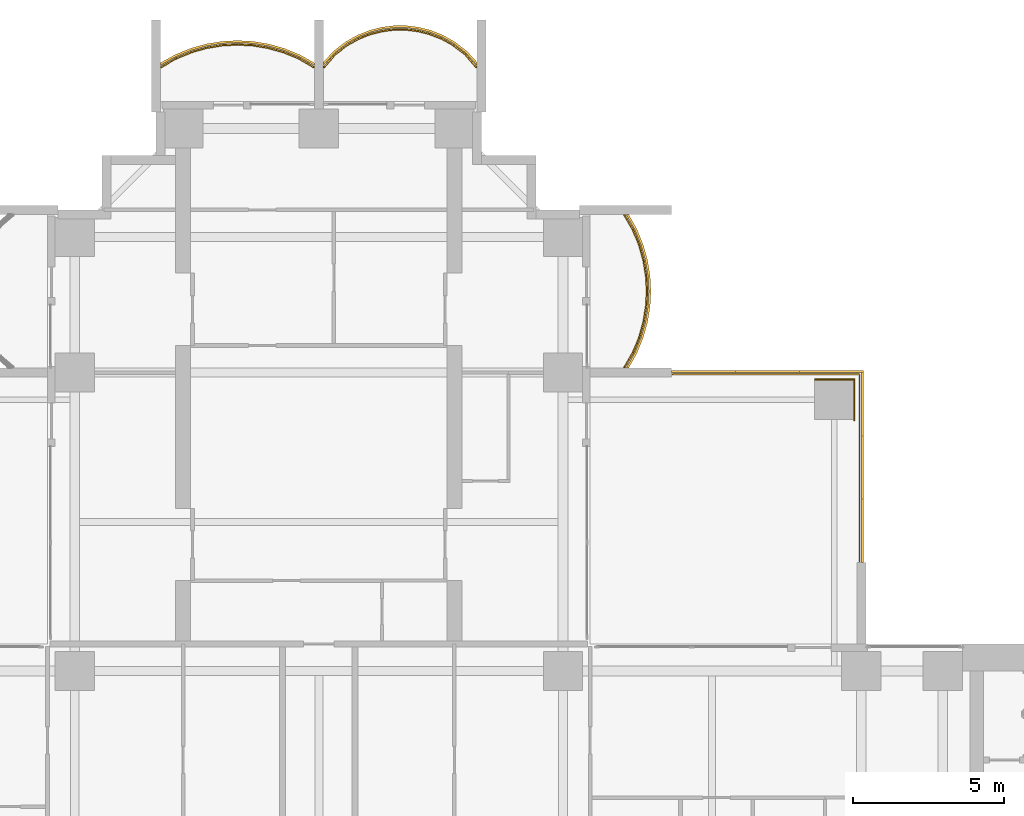
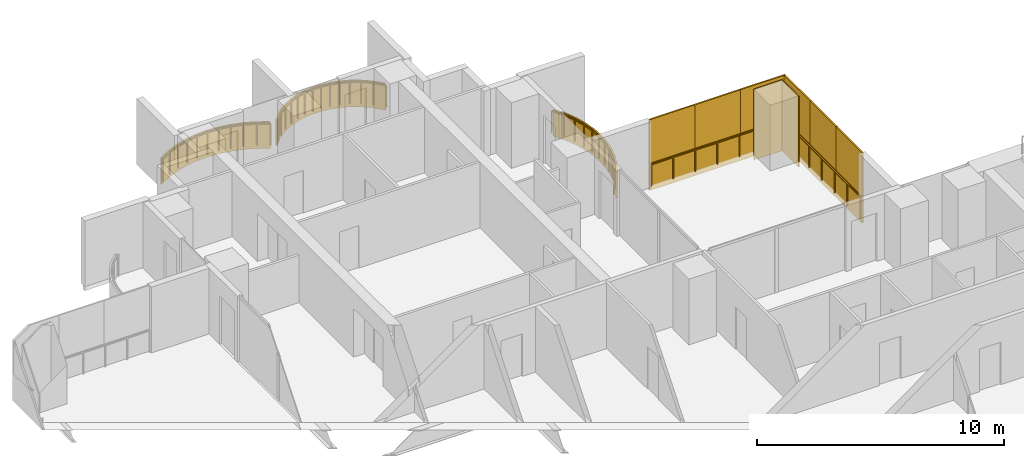
# One storey, part 20 of 20: 12 coverings, 4 railings.
"""IFC4 building model written with IfcOpenShell, lengths in metres."""

from ifc_helpers import new_model, si_unit, direction, frame, origin, origin_2d, place, context, subcontext, project, spatial, polyline, rectangle, outline, extrude, material, layer, layer_set, type_object, element, save


model = new_model("IFC4")

# Units and contexts
model_context = context("Model", 3, precision=1e-05, world=origin(), true_north=direction((0.0, 1.0)))
body_context = subcontext(model_context, "Body", "Model", "MODEL_VIEW")
ifc_project = project(units=[si_unit("LENGTHUNIT", "METRE"), si_unit("AREAUNIT", "SQUARE_METRE"), si_unit("VOLUMEUNIT", "CUBIC_METRE"), si_unit("PLANEANGLEUNIT", "RADIAN"), si_unit("MASSUNIT", "GRAM", prefix="KILO")], contexts=[model_context])

# Site, building, storey
site_placement = place(None, origin())
site = spatial("IfcSite", under=ifc_project, at=site_placement, CompositionType="ELEMENT")
building_placement = place(site_placement, origin())
building = spatial("IfcBuilding", under=site, at=building_placement, Name="Perihelion Cross Residences", CompositionType="ELEMENT")
storey_placement = place(building_placement, frame((0.0, 0.0, 78.5)))
storey = spatial("IfcBuildingStorey", under=building, at=storey_placement, Name="L17", CompositionType="ELEMENT", Elevation=78.5)

# Coverings
ifc_material_1 = material(Name="Bronze anodised aluminium", Category="aluminium")
ifc_layer_1 = layer(ifc_material_1, 0.070068359375)
ifc_layer_set_1 = layer_set([ifc_layer_1], Name="Balcony fascia 1300")
covering_type_1 = type_object("IfcCoveringType", Name="Balcony fascia 1300", PredefinedType="CLADDING", material=ifc_layer_set_1)
covering_1_placement = place(storey_placement, frame((0.0, 0.0, -0.199951171875)))
element("IfcCovering", 1, at=covering_1_placement, inside=storey, type_object=covering_type_1, Name="Fascia BF1 L17 north side east bay 2", PredefinedType="CLADDING", context=body_context, shape_type="SweptSolid", body=[
    extrude(outline(polyline([(10.54833984375, 18.629638671875), (10.7607421875, 19.147216796875), (10.906494140625, 19.664794921875), (10.991943359375, 20.182373046875), (11.02001953125, 20.699951171875), (10.991943359375, 21.217529296875), (10.906494140625, 21.735107421875), (10.7607421875, 22.2529296875), (10.54833984375, 22.7705078125), (10.2802734375, 23.25), (10.199951171875, 23.25), (10.4853515625, 22.739990234375), (10.694580078125, 22.22998046875), (10.838134765625, 21.719970703125), (10.92236328125, 21.2099609375), (10.949951171875, 20.699951171875), (10.92236328125, 20.18994140625), (10.838134765625, 19.679931640625), (10.694580078125, 19.169921875), (10.4853515625, 18.659912109375), (10.199951171875, 18.14990234375), (10.2802734375, 18.14990234375), (10.54833984375, 18.629638671875)])), origin(), (0.0, 0.0, 1.0), 1.300048828125),
])
covering_2_placement = place(storey_placement, frame((0.0, 0.0, -0.199951171875)))
element("IfcCovering", 2, at=covering_2_placement, inside=storey, type_object=covering_type_1, Name="Fascia BF1 L17 north tip north bay 1", PredefinedType="CLADDING", context=body_context, shape_type="SweptSolid", body=[
    extrude(outline(polyline([(4.90478515625, 28.674072265625), (4.50390625, 28.982666015625), (4.10302734375, 29.20654296875), (3.7021484375, 29.364013671875), (3.30126953125, 29.464599609375), (2.900390625, 29.513916015625), (2.49951171875, 29.513916015625), (2.0986328125, 29.464599609375), (1.69775390625, 29.364013671875), (1.296875, 29.20654296875), (0.89599609375, 28.982666015625), (0.4951171875, 28.674072265625), (0.14990234375, 28.302734375), (0.14990234375, 28.199951171875), (0.542236328125, 28.622314453125), (0.9345703125, 28.924072265625), (1.326904296875, 29.143310546875), (1.71923828125, 29.29736328125), (2.111572265625, 29.39599609375), (2.50390625, 29.444091796875), (2.896240234375, 29.444091796875), (3.28857421875, 29.39599609375), (3.6806640625, 29.29736328125), (4.072998046875, 29.143310546875), (4.46533203125, 28.924072265625), (4.857666015625, 28.622314453125), (5.25, 28.199951171875), (5.25, 28.302734375), (4.90478515625, 28.674072265625)])), origin(), (0.0, 0.0, 1.0), 1.300048828125),
])
covering_3_placement = place(storey_placement, frame((0.0, 0.0, -0.199951171875)))
element("IfcCovering", 3, at=covering_3_placement, inside=storey, type_object=covering_type_1, Name="Fascia BF1 L17 north tip north bay 2", PredefinedType="CLADDING", context=body_context, shape_type="SweptSolid", body=[
    extrude(outline(polyline([(-0.629638671875, 28.54833984375), (-1.147216796875, 28.7607421875), (-1.664794921875, 28.906494140625), (-2.182373046875, 28.991943359375), (-2.699951171875, 29.02001953125), (-3.217529296875, 28.991943359375), (-3.735107421875, 28.906494140625), (-4.2529296875, 28.7607421875), (-4.7705078125, 28.54833984375), (-5.25, 28.2802734375), (-5.25, 28.199951171875), (-4.739990234375, 28.4853515625), (-4.22998046875, 28.694580078125), (-3.719970703125, 28.838134765625), (-3.2099609375, 28.92236328125), (-2.699951171875, 28.949951171875), (-2.18994140625, 28.92236328125), (-1.679931640625, 28.838134765625), (-1.169921875, 28.694580078125), (-0.659912109375, 28.4853515625), (-0.14990234375, 28.199951171875), (-0.14990234375, 28.2802734375), (-0.629638671875, 28.54833984375)])), origin(), (0.0, 0.0, 1.0), 1.300048828125),
])

# Railings
ifc_material_2 = material(Name="Bronze anodised aluminium", Category="aluminium")
railing_type = type_object("IfcRailingType", Name="Balcony guard 1100", PredefinedType="GUARDRAIL", material=ifc_material_2)
railing_1_placement = place(storey_placement, frame((10.139892578125, 18.175048828125, 0.0)))
element("IfcRailing", 4, at=railing_1_placement, inside=storey, type_object=railing_type, Name="Guard GU1 L17 north side east bay 2 balcony", PredefinedType="GUARDRAIL", context=body_context, shape_type="SweptSolid", body=[
    extrude(rectangle(XDim=0.048095703125, YDim=0.048095703125, at=origin_2d()), frame((0.0, 0.0, 1.076171875), z_axis=(0.507266632806, 0.861789164031, 0.0), x_axis=(-0.861789164031, 0.507266632806, 0.0)), (0.0, 0.0, 1.0), 0.562744140625),
    extrude(rectangle(XDim=0.048095703125, YDim=0.048095703125, at=origin_2d()), frame((0.285400390625, 0.48486328125, 1.076171875), z_axis=(0.379546636342, 0.925172605972, 0.0), x_axis=(-0.925172605972, 0.379546636342, 0.0)), (0.0, 0.0, 1.0), 0.55126953125),
    extrude(rectangle(XDim=0.048095703125, YDim=0.048095703125, at=origin_2d()), frame((0.49462890625, 0.994873046875, 1.076171875), z_axis=(0.271372618732, 0.962474364231, 0.0), x_axis=(-0.962474364231, 0.271372618732, 0.0)), (0.0, 0.0, 1.0), 0.52978515625),
    extrude(rectangle(XDim=0.048095703125, YDim=0.048095703125, at=origin_2d()), frame((0.638427734375, 1.5048828125, 1.076171875), z_axis=(0.162483799314, 0.986711211531, 0.0), x_axis=(-0.986711211531, 0.162483799314, 0.0)), (0.0, 0.0, 1.0), 0.516845703125),
    extrude(rectangle(XDim=0.048095703125, YDim=0.048095703125, at=origin_2d()), frame((0.722412109375, 2.014892578125, 1.076171875), z_axis=(0.05401390175, 0.998540183677, 0.0), x_axis=(-0.998540183677, 0.05401390175, 0.0)), (0.0, 0.0, 1.0), 0.5107421875),
    extrude(rectangle(XDim=0.048095703125, YDim=0.048095703125, at=origin_2d()), frame((0.75, 2.52490234375, 1.076171875), z_axis=(-0.05401390175, 0.998540183677, 0.0), x_axis=(-0.998540183677, -0.05401390175, 0.0)), (0.0, 0.0, 1.0), 0.5107421875),
    extrude(rectangle(XDim=0.048095703125, YDim=0.048095703125, at=origin_2d()), frame((0.722412109375, 3.034912109375, 1.076171875), z_axis=(-0.162483799314, 0.986711211531, 0.0), x_axis=(-0.986711211531, -0.162483799314, 0.0)), (0.0, 0.0, 1.0), 0.516845703125),
    extrude(rectangle(XDim=0.048095703125, YDim=0.048095703125, at=origin_2d()), frame((0.638427734375, 3.544921875, 1.076171875), z_axis=(-0.271372618732, 0.962474364231, 0.0), x_axis=(-0.962474364231, -0.271372618732, 0.0)), (0.0, 0.0, 1.0), 0.52978515625),
    extrude(rectangle(XDim=0.048095703125, YDim=0.048095703125, at=origin_2d()), frame((0.49462890625, 4.054931640625, 1.076171875), z_axis=(-0.379546636342, 0.925172605972, 0.0), x_axis=(-0.925172605972, -0.379546636342, 0.0)), (0.0, 0.0, 1.0), 0.55126953125),
    extrude(rectangle(XDim=0.048095703125, YDim=0.048095703125, at=origin_2d()), frame((0.285400390625, 4.56494140625, 1.076171875), z_axis=(-0.507076995033, 0.861900760591, 0.0), x_axis=(-0.861900760591, -0.507076995033, 0.0)), (0.0, 0.0, 1.0), 0.562744140625),
    extrude(rectangle(XDim=0.0419921875, YDim=0.0419921875, at=origin_2d()), origin(), (0.0, 0.0, 1.0), 1.052001953125),
    extrude(rectangle(XDim=0.0419921875, YDim=0.0419921875, at=origin_2d()), frame((0.285400390625, 0.48486328125, 0.0)), (0.0, 0.0, 1.0), 1.052001953125),
    extrude(rectangle(XDim=0.0419921875, YDim=0.0419921875, at=origin_2d()), frame((0.49462890625, 0.994873046875, 0.0)), (0.0, 0.0, 1.0), 1.052001953125),
    extrude(rectangle(XDim=0.0419921875, YDim=0.0419921875, at=origin_2d()), frame((0.638427734375, 1.5048828125, 0.0)), (0.0, 0.0, 1.0), 1.052001953125),
    extrude(rectangle(XDim=0.0419921875, YDim=0.0419921875, at=origin_2d()), frame((0.722412109375, 2.014892578125, 0.0)), (0.0, 0.0, 1.0), 1.052001953125),
    extrude(rectangle(XDim=0.0419921875, YDim=0.0419921875, at=origin_2d()), frame((0.75, 2.52490234375, 0.0)), (0.0, 0.0, 1.0), 1.052001953125),
    extrude(rectangle(XDim=0.0419921875, YDim=0.0419921875, at=origin_2d()), frame((0.722412109375, 3.034912109375, 0.0)), (0.0, 0.0, 1.0), 1.052001953125),
    extrude(rectangle(XDim=0.0419921875, YDim=0.0419921875, at=origin_2d()), frame((0.638427734375, 3.544921875, 0.0)), (0.0, 0.0, 1.0), 1.052001953125),
    extrude(rectangle(XDim=0.0419921875, YDim=0.0419921875, at=origin_2d()), frame((0.49462890625, 4.054931640625, 0.0)), (0.0, 0.0, 1.0), 1.052001953125),
    extrude(rectangle(XDim=0.0419921875, YDim=0.0419921875, at=origin_2d()), frame((0.285400390625, 4.56494140625, 0.0)), (0.0, 0.0, 1.0), 1.052001953125),
    extrude(rectangle(XDim=0.0419921875, YDim=0.0419921875, at=origin_2d()), frame((0.0, 5.050048828125, 0.0)), (0.0, 0.0, 1.0), 1.052001953125),
])
railing_2_placement = place(storey_placement, frame((5.22509765625, 28.139892578125, 0.0)))
element("IfcRailing", 5, at=railing_2_placement, inside=storey, type_object=railing_type, Name="Guard GU1 L17 north tip north bay 1 balcony", PredefinedType="GUARDRAIL", context=body_context, shape_type="SweptSolid", body=[
    extrude(rectangle(XDim=0.048095703125, YDim=0.048095703125, at=origin_2d()), frame((0.0, 0.0, 1.076171875), z_axis=(-0.656340655493, 0.754464673757, 0.0), x_axis=(-0.754464673757, -0.656340655493, 0.0)), (0.0, 0.0, 1.0), 0.559814453125),
    extrude(rectangle(XDim=0.048095703125, YDim=0.048095703125, at=origin_2d()), frame((-0.367431640625, 0.42236328125, 1.076171875), z_axis=(-0.792660660899, 0.60966308455, 0.0), x_axis=(-0.60966308455, -0.792660660899, 0.0)), (0.0, 0.0, 1.0), 0.494873046875),
    extrude(rectangle(XDim=0.048095703125, YDim=0.048095703125, at=origin_2d()), frame((-0.759765625, 0.72412109375, 1.076171875), z_axis=(-0.872950285698, 0.487809182674, 0.0), x_axis=(-0.487809182674, -0.872950285698, 0.0)), (0.0, 0.0, 1.0), 0.449462890625),
    extrude(rectangle(XDim=0.048095703125, YDim=0.048095703125, at=origin_2d()), frame((-1.152099609375, 0.943359375, 1.076171875), z_axis=(-0.930814842219, 0.365491079925, 0.0), x_axis=(-0.365491079925, -0.930814842219, 0.0)), (0.0, 0.0, 1.0), 0.42138671875),
    extrude(rectangle(XDim=0.048095703125, YDim=0.048095703125, at=origin_2d()), frame((-1.54443359375, 1.097412109375, 1.076171875), z_axis=(-0.969786252666, 0.243956193074, 0.0), x_axis=(-0.243956193074, -0.969786252666, 0.0)), (0.0, 0.0, 1.0), 0.404296875),
    extrude(rectangle(XDim=0.048095703125, YDim=0.048095703125, at=origin_2d()), frame((-1.9365234375, 1.196044921875, 1.076171875), z_axis=(-0.992569651699, 0.121677797999, 0.0), x_axis=(-0.121677797999, -0.992569651699, 0.0)), (0.0, 0.0, 1.0), 0.395263671875),
    extrude(rectangle(XDim=0.048095703125, YDim=0.048095703125, at=origin_2d()), frame((-2.328857421875, 1.244140625, 1.076171875), z_axis=(-1.0, 0.0, 0.0), x_axis=(0.0, -1.0, 0.0)), (0.0, 0.0, 1.0), 0.392333984375),
    extrude(rectangle(XDim=0.048095703125, YDim=0.048095703125, at=origin_2d()), frame((-2.72119140625, 1.244140625, 1.076171875), z_axis=(-0.992569651699, -0.121677797999, 0.0), x_axis=(0.121677797999, -0.992569651699, 0.0)), (0.0, 0.0, 1.0), 0.395263671875),
    extrude(rectangle(XDim=0.048095703125, YDim=0.048095703125, at=origin_2d()), frame((-3.113525390625, 1.196044921875, 1.076171875), z_axis=(-0.969822159145, -0.243813411509, 0.0), x_axis=(0.243813411509, -0.969822159145, 0.0)), (0.0, 0.0, 1.0), 0.404541015625),
    extrude(rectangle(XDim=0.048095703125, YDim=0.048095703125, at=origin_2d()), frame((-3.505859375, 1.097412109375, 1.076171875), z_axis=(-0.930814842219, -0.365491079925, 0.0), x_axis=(0.365491079925, -0.930814842219, 0.0)), (0.0, 0.0, 1.0), 0.42138671875),
    extrude(rectangle(XDim=0.048095703125, YDim=0.048095703125, at=origin_2d()), frame((-3.898193359375, 0.943359375, 1.076171875), z_axis=(-0.872950285698, -0.487809182674, 0.0), x_axis=(0.487809182674, -0.872950285698, 0.0)), (0.0, 0.0, 1.0), 0.449462890625),
    extrude(rectangle(XDim=0.048095703125, YDim=0.048095703125, at=origin_2d()), frame((-4.29052734375, 0.72412109375, 1.076171875), z_axis=(-0.792660660899, -0.60966308455, 0.0), x_axis=(0.60966308455, -0.792660660899, 0.0)), (0.0, 0.0, 1.0), 0.494873046875),
    extrude(rectangle(XDim=0.048095703125, YDim=0.048095703125, at=origin_2d()), frame((-4.682861328125, 0.42236328125, 1.076171875), z_axis=(-0.656092309534, -0.754680648599, 0.0), x_axis=(0.754680648599, -0.656092309534, 0.0)), (0.0, 0.0, 1.0), 0.5595703125),
    extrude(rectangle(XDim=0.0419921875, YDim=0.0419921875, at=origin_2d()), origin(), (0.0, 0.0, 1.0), 1.052001953125),
    extrude(rectangle(XDim=0.0419921875, YDim=0.0419921875, at=origin_2d()), frame((-0.367431640625, 0.42236328125, 0.0)), (0.0, 0.0, 1.0), 1.052001953125),
    extrude(rectangle(XDim=0.0419921875, YDim=0.0419921875, at=origin_2d()), frame((-0.759765625, 0.72412109375, 0.0)), (0.0, 0.0, 1.0), 1.052001953125),
    extrude(rectangle(XDim=0.0419921875, YDim=0.0419921875, at=origin_2d()), frame((-1.152099609375, 0.943359375, 0.0)), (0.0, 0.0, 1.0), 1.052001953125),
    extrude(rectangle(XDim=0.0419921875, YDim=0.0419921875, at=origin_2d()), frame((-1.54443359375, 1.097412109375, 0.0)), (0.0, 0.0, 1.0), 1.052001953125),
    extrude(rectangle(XDim=0.0419921875, YDim=0.0419921875, at=origin_2d()), frame((-1.9365234375, 1.196044921875, 0.0)), (0.0, 0.0, 1.0), 1.052001953125),
    extrude(rectangle(XDim=0.0419921875, YDim=0.0419921875, at=origin_2d()), frame((-2.328857421875, 1.244140625, 0.0)), (0.0, 0.0, 1.0), 1.052001953125),
    extrude(rectangle(XDim=0.0419921875, YDim=0.0419921875, at=origin_2d()), frame((-2.72119140625, 1.244140625, 0.0)), (0.0, 0.0, 1.0), 1.052001953125),
    extrude(rectangle(XDim=0.0419921875, YDim=0.0419921875, at=origin_2d()), frame((-3.113525390625, 1.196044921875, 0.0)), (0.0, 0.0, 1.0), 1.052001953125),
    extrude(rectangle(XDim=0.0419921875, YDim=0.0419921875, at=origin_2d()), frame((-3.505859375, 1.097412109375, 0.0)), (0.0, 0.0, 1.0), 1.052001953125),
    extrude(rectangle(XDim=0.0419921875, YDim=0.0419921875, at=origin_2d()), frame((-3.898193359375, 0.943359375, 0.0)), (0.0, 0.0, 1.0), 1.052001953125),
    extrude(rectangle(XDim=0.0419921875, YDim=0.0419921875, at=origin_2d()), frame((-4.29052734375, 0.72412109375, 0.0)), (0.0, 0.0, 1.0), 1.052001953125),
    extrude(rectangle(XDim=0.0419921875, YDim=0.0419921875, at=origin_2d()), frame((-4.682861328125, 0.42236328125, 0.0)), (0.0, 0.0, 1.0), 1.052001953125),
    extrude(rectangle(XDim=0.0419921875, YDim=0.0419921875, at=origin_2d()), frame((-5.050048828125, 0.0, 0.0)), (0.0, 0.0, 1.0), 1.052001953125),
])
railing_3_placement = place(storey_placement, frame((-0.175048828125, 28.139892578125, 0.0)))
element("IfcRailing", 6, at=railing_3_placement, inside=storey, type_object=railing_type, Name="Guard GU1 L17 north tip north bay 2 balcony", PredefinedType="GUARDRAIL", context=body_context, shape_type="SweptSolid", body=[
    extrude(rectangle(XDim=0.048095703125, YDim=0.048095703125, at=origin_2d()), frame((0.0, 0.0, 1.076171875), z_axis=(-0.861789164031, 0.507266632806, 0.0), x_axis=(-0.507266632806, -0.861789164031, 0.0)), (0.0, 0.0, 1.0), 0.562744140625),
    extrude(rectangle(XDim=0.048095703125, YDim=0.048095703125, at=origin_2d()), frame((-0.48486328125, 0.285400390625, 1.076171875), z_axis=(-0.925172605972, 0.379546636342, 0.0), x_axis=(-0.379546636342, -0.925172605972, 0.0)), (0.0, 0.0, 1.0), 0.55126953125),
    extrude(rectangle(XDim=0.048095703125, YDim=0.048095703125, at=origin_2d()), frame((-0.994873046875, 0.49462890625, 1.076171875), z_axis=(-0.962474364231, 0.271372618732, 0.0), x_axis=(-0.271372618732, -0.962474364231, 0.0)), (0.0, 0.0, 1.0), 0.52978515625),
    extrude(rectangle(XDim=0.048095703125, YDim=0.048095703125, at=origin_2d()), frame((-1.5048828125, 0.638427734375, 1.076171875), z_axis=(-0.986711211531, 0.162483799314, 0.0), x_axis=(-0.162483799314, -0.986711211531, 0.0)), (0.0, 0.0, 1.0), 0.516845703125),
    extrude(rectangle(XDim=0.048095703125, YDim=0.048095703125, at=origin_2d()), frame((-2.014892578125, 0.722412109375, 1.076171875), z_axis=(-0.998540183677, 0.05401390175, 0.0), x_axis=(-0.05401390175, -0.998540183677, 0.0)), (0.0, 0.0, 1.0), 0.5107421875),
    extrude(rectangle(XDim=0.048095703125, YDim=0.048095703125, at=origin_2d()), frame((-2.52490234375, 0.75, 1.076171875), z_axis=(-0.998540183677, -0.05401390175, 0.0), x_axis=(0.05401390175, -0.998540183677, 0.0)), (0.0, 0.0, 1.0), 0.5107421875),
    extrude(rectangle(XDim=0.048095703125, YDim=0.048095703125, at=origin_2d()), frame((-3.034912109375, 0.722412109375, 1.076171875), z_axis=(-0.986711211531, -0.162483799314, 0.0), x_axis=(0.162483799314, -0.986711211531, 0.0)), (0.0, 0.0, 1.0), 0.516845703125),
    extrude(rectangle(XDim=0.048095703125, YDim=0.048095703125, at=origin_2d()), frame((-3.544921875, 0.638427734375, 1.076171875), z_axis=(-0.962474364231, -0.271372618732, 0.0), x_axis=(0.271372618732, -0.962474364231, 0.0)), (0.0, 0.0, 1.0), 0.52978515625),
    extrude(rectangle(XDim=0.048095703125, YDim=0.048095703125, at=origin_2d()), frame((-4.054931640625, 0.49462890625, 1.076171875), z_axis=(-0.925172605972, -0.379546636342, 0.0), x_axis=(0.379546636342, -0.925172605972, 0.0)), (0.0, 0.0, 1.0), 0.55126953125),
    extrude(rectangle(XDim=0.048095703125, YDim=0.048095703125, at=origin_2d()), frame((-4.56494140625, 0.285400390625, 1.076171875), z_axis=(-0.861900760591, -0.507076995033, 0.0), x_axis=(0.507076995033, -0.861900760591, 0.0)), (0.0, 0.0, 1.0), 0.562744140625),
    extrude(rectangle(XDim=0.0419921875, YDim=0.0419921875, at=origin_2d()), origin(), (0.0, 0.0, 1.0), 1.052001953125),
    extrude(rectangle(XDim=0.0419921875, YDim=0.0419921875, at=origin_2d()), frame((-0.48486328125, 0.285400390625, 0.0)), (0.0, 0.0, 1.0), 1.052001953125),
    extrude(rectangle(XDim=0.0419921875, YDim=0.0419921875, at=origin_2d()), frame((-0.994873046875, 0.49462890625, 0.0)), (0.0, 0.0, 1.0), 1.052001953125),
    extrude(rectangle(XDim=0.0419921875, YDim=0.0419921875, at=origin_2d()), frame((-1.5048828125, 0.638427734375, 0.0)), (0.0, 0.0, 1.0), 1.052001953125),
    extrude(rectangle(XDim=0.0419921875, YDim=0.0419921875, at=origin_2d()), frame((-2.014892578125, 0.722412109375, 0.0)), (0.0, 0.0, 1.0), 1.052001953125),
    extrude(rectangle(XDim=0.0419921875, YDim=0.0419921875, at=origin_2d()), frame((-2.52490234375, 0.75, 0.0)), (0.0, 0.0, 1.0), 1.052001953125),
    extrude(rectangle(XDim=0.0419921875, YDim=0.0419921875, at=origin_2d()), frame((-3.034912109375, 0.722412109375, 0.0)), (0.0, 0.0, 1.0), 1.052001953125),
    extrude(rectangle(XDim=0.0419921875, YDim=0.0419921875, at=origin_2d()), frame((-3.544921875, 0.638427734375, 0.0)), (0.0, 0.0, 1.0), 1.052001953125),
    extrude(rectangle(XDim=0.0419921875, YDim=0.0419921875, at=origin_2d()), frame((-4.054931640625, 0.49462890625, 0.0)), (0.0, 0.0, 1.0), 1.052001953125),
    extrude(rectangle(XDim=0.0419921875, YDim=0.0419921875, at=origin_2d()), frame((-4.56494140625, 0.285400390625, 0.0)), (0.0, 0.0, 1.0), 1.052001953125),
    extrude(rectangle(XDim=0.0419921875, YDim=0.0419921875, at=origin_2d()), frame((-5.050048828125, 0.0, 0.0)), (0.0, 0.0, 1.0), 1.052001953125),
])
railing_4_placement = place(storey_placement, frame((11.739990234375, 17.93994140625, 0.0)))
element("IfcRailing", 7, at=railing_4_placement, inside=storey, type_object=railing_type, Name="Guard GU1 L17 pocket north-east 1", PredefinedType="GUARDRAIL", context=body_context, shape_type="SweptSolid", body=[
    extrude(rectangle(XDim=0.048095703125, YDim=0.048095703125, at=origin_2d()), frame((0.0, 0.0, 1.076171875), z_axis=(1.0, 0.0, 0.0), x_axis=(0.0, 1.0, 0.0)), (0.0, 0.0, 1.0), 6.199951171875),
    extrude(rectangle(XDim=0.048095703125, YDim=0.048095703125, at=origin_2d()), frame((6.199951171875, 0.0, 1.076171875), z_axis=(0.0, -1.0, 0.0), x_axis=(1.0, 0.0, 0.0)), (0.0, 0.0, 1.0), 6.199951171875),
    extrude(rectangle(XDim=0.0419921875, YDim=0.0419921875, at=origin_2d()), origin(), (0.0, 0.0, 1.0), 1.052001953125),
    extrude(rectangle(XDim=0.0419921875, YDim=0.0419921875, at=origin_2d()), frame((1.033203125, 0.0, 0.0)), (0.0, 0.0, 1.0), 1.052001953125),
    extrude(rectangle(XDim=0.0419921875, YDim=0.0419921875, at=origin_2d()), frame((2.066650390625, 0.0, 0.0)), (0.0, 0.0, 1.0), 1.052001953125),
    extrude(rectangle(XDim=0.0419921875, YDim=0.0419921875, at=origin_2d()), frame((3.10009765625, 0.0, 0.0)), (0.0, 0.0, 1.0), 1.052001953125),
    extrude(rectangle(XDim=0.0419921875, YDim=0.0419921875, at=origin_2d()), frame((4.13330078125, 0.0, 0.0)), (0.0, 0.0, 1.0), 1.052001953125),
    extrude(rectangle(XDim=0.0419921875, YDim=0.0419921875, at=origin_2d()), frame((5.16650390625, 0.0, 0.0)), (0.0, 0.0, 1.0), 1.052001953125),
    extrude(rectangle(XDim=0.0419921875, YDim=0.0419921875, at=origin_2d()), frame((6.199951171875, 0.0, 0.0)), (0.0, 0.0, 1.0), 1.052001953125),
    extrude(rectangle(XDim=0.0419921875, YDim=0.0419921875, at=origin_2d()), frame((6.199951171875, -1.033203125, 0.0)), (0.0, 0.0, 1.0), 1.052001953125),
    extrude(rectangle(XDim=0.0419921875, YDim=0.0419921875, at=origin_2d()), frame((6.199951171875, -2.066650390625, 0.0)), (0.0, 0.0, 1.0), 1.052001953125),
    extrude(rectangle(XDim=0.0419921875, YDim=0.0419921875, at=origin_2d()), frame((6.199951171875, -3.10009765625, 0.0)), (0.0, 0.0, 1.0), 1.052001953125),
    extrude(rectangle(XDim=0.0419921875, YDim=0.0419921875, at=origin_2d()), frame((6.199951171875, -4.13330078125, 0.0)), (0.0, 0.0, 1.0), 1.052001953125),
    extrude(rectangle(XDim=0.0419921875, YDim=0.0419921875, at=origin_2d()), frame((6.199951171875, -5.16650390625, 0.0)), (0.0, 0.0, 1.0), 1.052001953125),
    extrude(rectangle(XDim=0.0419921875, YDim=0.0419921875, at=origin_2d()), frame((6.199951171875, -6.199951171875, 0.0)), (0.0, 0.0, 1.0), 1.052001953125),
])

# Coverings
ifc_material_3 = material(Name="Bronze anodised aluminium", Category="aluminium")
ifc_layer_2 = layer(ifc_material_3, 0.0400390625)
ifc_layer_set_2 = layer_set([ifc_layer_2], Name="Bronze column casing 40")
covering_type_2 = type_object("IfcCoveringType", Name="Bronze column casing 40", PredefinedType="CLADDING", material=ifc_layer_set_2)
covering_4_placement = place(storey_placement, frame((17.77001953125, 17.10009765625, -0.25), z_axis=(0.0, 0.0, 1.0), x_axis=(1.0, 0.0, 0.0)))
element("IfcCovering", 8, at=covering_4_placement, inside=storey, type_object=covering_type_2, Name="Cladding CC1 L17 casing east-west no. 4", PredefinedType="CLADDING", context=body_context, shape_type="SweptSolid", body=[
    extrude(rectangle(XDim=0.0400390625, YDim=1.3798828125, at=origin_2d()), origin(), (0.0, 0.0, 1.0), 3.5),
])
covering_5_placement = place(storey_placement, frame((17.10009765625, 17.77001953125, -0.25), z_axis=(0.0, 0.0, 1.0), x_axis=(1.0, 0.0, 0.0)))
element("IfcCovering", 9, at=covering_5_placement, inside=storey, type_object=covering_type_2, Name="Cladding CC1 L17 casing north-south no. 4", PredefinedType="CLADDING", context=body_context, shape_type="SweptSolid", body=[
    extrude(rectangle(XDim=1.300048828125, YDim=0.0400390625, at=origin_2d()), origin(), (0.0, 0.0, 1.0), 3.5),
])
ifc_material_4 = material(Name="Bronze anodised aluminium", Category="aluminium")
ifc_layer_3 = layer(ifc_material_4, 0.070068359375)
ifc_layer_set_3 = layer_set([ifc_layer_3], Name="Pocket fascia 1350")
covering_type_3 = type_object("IfcCoveringType", Name="Pocket fascia 1350", PredefinedType="CLADDING", material=ifc_layer_set_3)
covering_6_placement = place(storey_placement, frame((0.0, 0.0, -0.25)))
element("IfcCovering", 10, at=covering_6_placement, inside=storey, type_object=covering_type_3, Name="Fascia BF2 L17 pocket north-east 3", PredefinedType="CLADDING", context=body_context, shape_type="SweptSolid", body=[
    extrude(outline(polyline([(18.070068359375, 18.070068359375), (11.699951171875, 18.070068359375), (11.699951171875, 18.0), (18.0, 18.0), (18.0, 11.699951171875), (18.070068359375, 11.699951171875), (18.070068359375, 18.070068359375)])), origin(), (0.0, 0.0, 1.0), 1.35009765625),
])
ifc_material_5 = material(Name="Bronze perforated aluminium", Category="aluminium")
ifc_layer_4 = layer(ifc_material_5, 0.070068359375)
ifc_layer_set_4 = layer_set([ifc_layer_4], Name="Pocket solar screen, bronze perforated")
covering_type_4 = type_object("IfcCoveringType", Name="Pocket solar screen, bronze perforated", PredefinedType="CLADDING", material=ifc_layer_set_4)
covering_7_placement = place(storey_placement, frame((0.0, 0.0, 1.10009765625)))
element("IfcCovering", 11, at=covering_7_placement, inside=storey, type_object=covering_type_4, Name="Solar screen PS1 L17 pocket north-east no. 1", PredefinedType="CLADDING", context=body_context, shape_type="SweptSolid", body=[
    extrude(outline(polyline([(18.070068359375, 11.699951171875), (18.070068359375, 13.800048828125), (18.0, 13.800048828125), (18.0, 11.699951171875), (18.070068359375, 11.699951171875)])), origin(), (0.0, 0.0, 1.0), 2.14990234375),
])
covering_8_placement = place(storey_placement, frame((0.0, 0.0, 1.10009765625)))
element("IfcCovering", 12, at=covering_8_placement, inside=storey, type_object=covering_type_4, Name="Solar screen PS1 L17 pocket north-east no. 2", PredefinedType="CLADDING", context=body_context, shape_type="SweptSolid", body=[
    extrude(outline(polyline([(18.070068359375, 13.800048828125), (18.070068359375, 15.89990234375), (18.0, 15.89990234375), (18.0, 13.800048828125), (18.070068359375, 13.800048828125)])), origin(), (0.0, 0.0, 1.0), 2.14990234375),
])
covering_9_placement = place(storey_placement, frame((0.0, 0.0, 1.10009765625)))
element("IfcCovering", 13, at=covering_9_placement, inside=storey, type_object=covering_type_4, Name="Solar screen PS1 L17 pocket north-east no. 3", PredefinedType="CLADDING", context=body_context, shape_type="SweptSolid", body=[
    extrude(outline(polyline([(18.070068359375, 15.89990234375), (18.070068359375, 18.0), (18.0, 18.0), (18.0, 15.89990234375), (18.070068359375, 15.89990234375)])), origin(), (0.0, 0.0, 1.0), 2.14990234375),
])
covering_10_placement = place(storey_placement, frame((0.0, 0.0, 1.10009765625)))
element("IfcCovering", 14, at=covering_10_placement, inside=storey, type_object=covering_type_4, Name="Solar screen PS1 L17 pocket north-east no. 4", PredefinedType="CLADDING", context=body_context, shape_type="SweptSolid", body=[
    extrude(outline(polyline([(13.8232421875, 18.0), (13.8232421875, 18.070068359375), (11.699951171875, 18.070068359375), (11.699951171875, 18.0), (13.8232421875, 18.0)])), origin(), (0.0, 0.0, 1.0), 2.14990234375),
])
covering_11_placement = place(storey_placement, frame((0.0, 0.0, 1.10009765625)))
element("IfcCovering", 15, at=covering_11_placement, inside=storey, type_object=covering_type_4, Name="Solar screen PS1 L17 pocket north-east no. 5", PredefinedType="CLADDING", context=body_context, shape_type="SweptSolid", body=[
    extrude(outline(polyline([(15.94677734375, 18.0), (15.94677734375, 18.070068359375), (13.8232421875, 18.070068359375), (13.8232421875, 18.0), (15.94677734375, 18.0)])), origin(), (0.0, 0.0, 1.0), 2.14990234375),
])
covering_12_placement = place(storey_placement, frame((0.0, 0.0, 1.10009765625)))
element("IfcCovering", 16, at=covering_12_placement, inside=storey, type_object=covering_type_4, Name="Solar screen PS1 L17 pocket north-east no. 6", PredefinedType="CLADDING", context=body_context, shape_type="SweptSolid", body=[
    extrude(outline(polyline([(18.070068359375, 18.0), (18.070068359375, 18.070068359375), (15.94677734375, 18.070068359375), (15.94677734375, 18.0), (18.070068359375, 18.0)])), origin(), (0.0, 0.0, 1.0), 2.14990234375),
])

save(model, "model.ifc")
